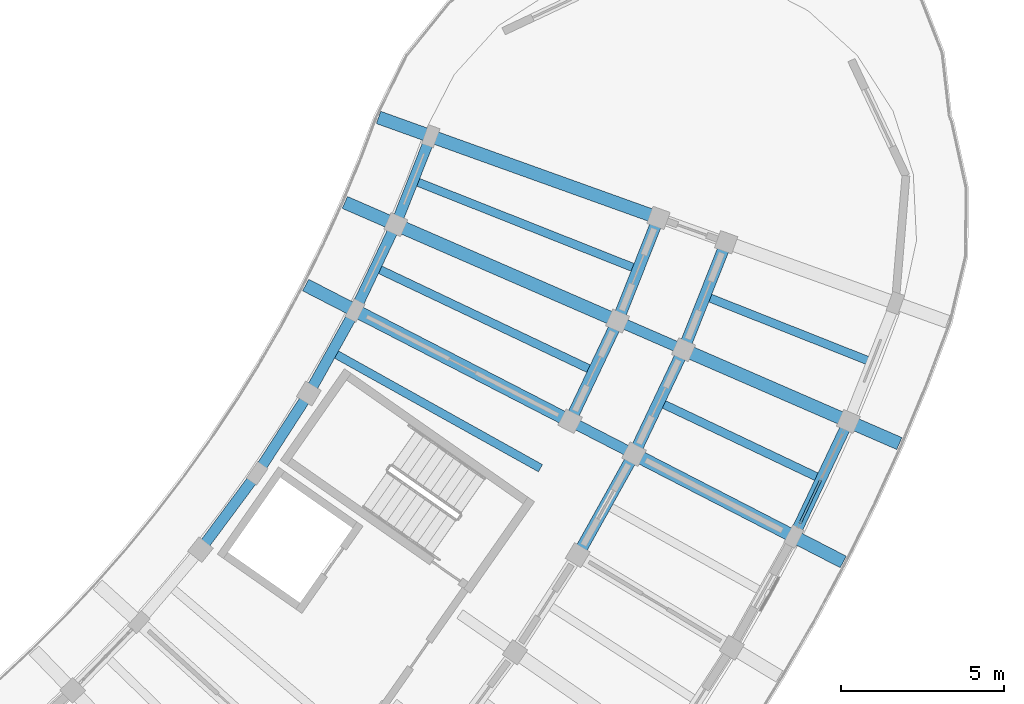
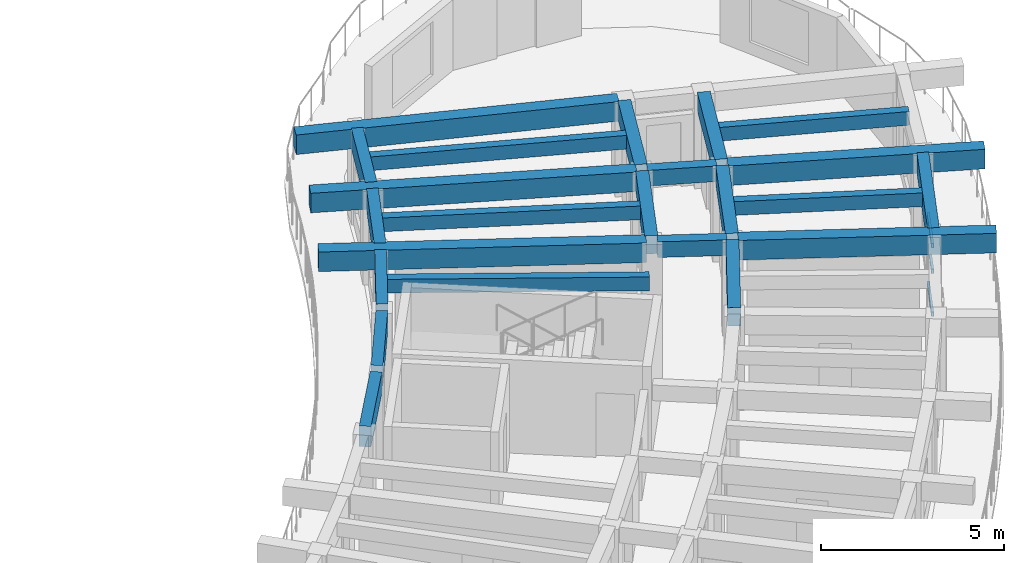
# One storey, part 22 of 81: 23 beams, 3 members, 1 element without a shape of its own.
"""IFC4 building model written with IfcOpenShell, lengths in metres."""

from ifc_helpers import new_model, si_unit, direction, frame, origin, origin_2d, place, context, subcontext, project, spatial, rectangle, hollow_rectangle, extrude, material, material_profile, profile_set, type_object, element, aggregate, save


model = new_model("IFC4")

# Units and contexts
model_context = context("Model", 3, precision=1e-05, world=origin(), true_north=direction((0.0, 1.0)))
body_context = subcontext(model_context, "Body", "Model", "MODEL_VIEW")
ifc_project = project(units=[si_unit("LENGTHUNIT", "METRE"), si_unit("AREAUNIT", "SQUARE_METRE"), si_unit("VOLUMEUNIT", "CUBIC_METRE"), si_unit("PLANEANGLEUNIT", "RADIAN"), si_unit("MASSUNIT", "GRAM", prefix="KILO")], contexts=[model_context])

# Site, building, storey
site_placement = place(None, origin())
site = spatial("IfcSite", under=ifc_project, at=site_placement, CompositionType="ELEMENT")
building_placement = place(site_placement, origin())
building = spatial("IfcBuilding", under=site, at=building_placement, Name="Tanwirah Colonnade Gardens", CompositionType="ELEMENT")
storey_placement = place(building_placement, frame((0.0, 0.0, 18.919921875)))
storey = spatial("IfcBuildingStorey", under=building, at=storey_placement, Name="L05", CompositionType="ELEMENT", Elevation=18.919921875)

# Beams
ifc_material_1 = material(Name="Precast concrete C40/50", Category="concrete")
ifc_material_profile_1 = material_profile(ifc_material_1, rectangle(XDim=0.360107421875, YDim=0.610107421875, at=origin_2d()), Name="PC-BM 360x610")
ifc_profile_set_1 = profile_set([ifc_material_profile_1], Name="Precast concrete C40/50")
beam_type_1 = type_object("IfcBeamType", Name="BM-PC300", PredefinedType="BEAM", material=ifc_profile_set_1)
beam_1_placement = place(storey_placement, frame((167.40283203125, 36.793212890625, 2.80517578125), z_axis=(0.486712025227, 0.873562478875, 0.0), x_axis=(-0.873562478875, 0.486712025227, 0.0)))
element("IfcBeam", 1, at=beam_1_placement, inside=storey, type_object=beam_type_1, Name="Block D L05 Circumferential Beam 12-R2", PredefinedType="BEAM", context=body_context, shape_type="SweptSolid", body=[
    extrude(rectangle(XDim=0.360107421875, YDim=0.610107421875, at=origin_2d()), origin(), (0.0, 0.0, 1.0), 3.23681640625),
])
beam_2_placement = place(storey_placement, frame((167.159912109375, 40.894775390625, 2.80517578125), z_axis=(0.428520598641, 0.903532011907, 0.0), x_axis=(-0.903532011907, 0.428520598641, 0.0)))
element("IfcBeam", 2, at=beam_2_placement, inside=storey, type_object=beam_type_1, Name="Block D L05 Circumferential Beam 13-R1", PredefinedType="BEAM", context=body_context, shape_type="SweptSolid", body=[
    extrude(rectangle(XDim=0.360107421875, YDim=0.610107421875, at=origin_2d()), origin(), (0.0, 0.0, 1.0), 3.093017578125),
])
beam_3_placement = place(storey_placement, frame((169.11572265625, 39.887451171875, 2.80517578125), z_axis=(0.428562893949, 0.903511951183, 0.0), x_axis=(-0.903511951183, 0.428562893949, 0.0)))
element("IfcBeam", 3, at=beam_3_placement, inside=storey, type_object=beam_type_1, Name="Block D L05 Circumferential Beam 13-R2", PredefinedType="BEAM", context=body_context, shape_type="SweptSolid", body=[
    extrude(rectangle(XDim=0.360107421875, YDim=0.610107421875, at=origin_2d()), origin(), (0.0, 0.0, 1.0), 3.23681640625),
])
beam_4_placement = place(storey_placement, frame((168.604736328125, 43.96435546875, 2.80517578125), z_axis=(0.368544574427, 0.929610077753, 0.0), x_axis=(-0.929610077753, 0.368544574427, 0.0)))
element("IfcBeam", 4, at=beam_4_placement, inside=storey, type_object=beam_type_1, Name="Block D L05 Circumferential Beam 14-R1", PredefinedType="BEAM", context=body_context, shape_type="SweptSolid", body=[
    extrude(rectangle(XDim=0.360107421875, YDim=0.610107421875, at=origin_2d()), origin(), (0.0, 0.0, 1.0), 3.093017578125),
])
beam_5_placement = place(storey_placement, frame((170.622314453125, 43.087158203125, 2.80517578125), z_axis=(0.368527954052, 0.929616666741, 0.0), x_axis=(-0.929616666741, 0.368527954052, 0.0)))
element("IfcBeam", 5, at=beam_5_placement, inside=storey, type_object=beam_type_1, Name="Block D L05 Circumferential Beam 14-R2", PredefinedType="BEAM", context=body_context, shape_type="SweptSolid", body=[
    extrude(rectangle(XDim=0.360107421875, YDim=0.610107421875, at=origin_2d()), origin(), (0.0, 0.0, 1.0), 3.23681640625),
])
ifc_material_profile_2 = material_profile(ifc_material_1, rectangle(XDim=0.320068359375, YDim=0.52001953125, at=origin_2d()), Name="PC-BM 320x520")
ifc_profile_set_2 = profile_set([ifc_material_profile_2], Name="Precast concrete C40/50")
beam_type_2 = type_object("IfcBeamType", Name="BM-PC320", PredefinedType="BEAM", material=ifc_profile_set_2)
beam_6_placement = place(storey_placement, frame((167.22900390625, 40.690673828125, 2.85009765625), z_axis=(0.888965044602, -0.457975053334, 0.0), x_axis=(0.457975053334, 0.888965044602, 0.0)))
element("IfcBeam", 6, at=beam_6_placement, inside=storey, type_object=beam_type_2, Name="Block D L05 Corridor Tie Beam 13", PredefinedType="BEAM", context=body_context, shape_type="SweptSolid", body=[
    extrude(rectangle(XDim=0.320068359375, YDim=0.52001953125, at=origin_2d()), origin(), (0.0, 0.0, 1.0), 1.89990234375),
])
beam_7_placement = place(storey_placement, frame((168.68701171875, 43.76513671875, 2.85009765625), z_axis=(0.917025109963, -0.398829471952, 0.0), x_axis=(0.398829471952, 0.917025109963, 0.0)))
element("IfcBeam", 7, at=beam_7_placement, inside=storey, type_object=beam_type_2, Name="Block D L05 Corridor Tie Beam 14", PredefinedType="BEAM", context=body_context, shape_type="SweptSolid", body=[
    extrude(rectangle(XDim=0.320068359375, YDim=0.52001953125, at=origin_2d()), origin(), (0.0, 0.0, 1.0), 1.900146484375),
])
ifc_material_2 = material(Name="Precast concrete C45/55", Category="concrete")
ifc_material_profile_3 = material_profile(ifc_material_2, rectangle(XDim=0.39990234375, YDim=0.64990234375, at=origin_2d()), Name="PC-BM 400x650")
ifc_profile_set_3 = profile_set([ifc_material_profile_3], Name="Precast concrete C45/55")
beam_type_3 = type_object("IfcBeamType", Name="BM-PC400", PredefinedType="BEAM", material=ifc_profile_set_3)
beam_8_placement = place(storey_placement, frame((166.962158203125, 40.827880859375, 2.78515625), z_axis=(-0.889022337846, 0.457863825619, 0.0), x_axis=(-0.457863825619, -0.889022337846, 0.0)))
element("IfcBeam", 8, at=beam_8_placement, inside=storey, type_object=beam_type_3, Name="Block D L05 Inner Radial Precast Girder 13", PredefinedType="BEAM", context=body_context, shape_type="SweptSolid", body=[
    extrude(rectangle(XDim=0.39990234375, YDim=0.64990234375, at=origin_2d()), origin(), (0.0, 0.0, 1.0), 8.949951171875),
])
beam_9_placement = place(storey_placement, frame((169.184814453125, 39.683349609375, 2.78515625), z_axis=(0.889016420099, -0.457875315774, 0.0), x_axis=(0.457875315774, 0.889016420099, 0.0)))
element("IfcBeam", 9, at=beam_9_placement, inside=storey, type_object=beam_type_3, Name="Block D L05 Outer Radial Precast Girder 13", PredefinedType="BEAM", context=body_context, shape_type="SweptSolid", body=[
    extrude(rectangle(XDim=0.39990234375, YDim=0.64990234375, at=origin_2d()), origin(), (0.0, 0.0, 1.0), 7.050048828125),
])
beam_10_placement = place(storey_placement, frame((168.412109375, 43.884765625, 2.78515625), z_axis=(-0.917069622575, 0.398727108872, 0.0), x_axis=(-0.398727108872, -0.917069622575, 0.0)))
element("IfcBeam", 10, at=beam_10_placement, inside=storey, type_object=beam_type_3, Name="Block D L05 Inner Radial Precast Girder 14", PredefinedType="BEAM", context=body_context, shape_type="SweptSolid", body=[
    extrude(rectangle(XDim=0.39990234375, YDim=0.64990234375, at=origin_2d()), origin(), (0.0, 0.0, 1.0), 8.949951171875),
])
beam_11_placement = place(storey_placement, frame((170.70458984375, 42.8876953125, 2.78515625), z_axis=(0.91706895514, -0.398728643965, 0.0), x_axis=(0.398728643965, 0.91706895514, 0.0)))
element("IfcBeam", 11, at=beam_11_placement, inside=storey, type_object=beam_type_3, Name="Block D L05 Outer Radial Precast Girder 14", PredefinedType="BEAM", context=body_context, shape_type="SweptSolid", body=[
    extrude(rectangle(XDim=0.39990234375, YDim=0.64990234375, at=origin_2d()), origin(), (0.0, 0.0, 1.0), 7.050048828125),
])
beam_12_placement = place(storey_placement, frame((169.65869140625, 47.02978515625, 2.78515625), z_axis=(-0.941180212187, 0.337905028356, 0.0), x_axis=(-0.337905028356, -0.941180212187, 0.0)))
element("IfcBeam", 12, at=beam_12_placement, inside=storey, type_object=beam_type_3, Name="Block D L05 Inner Radial Precast Girder 15", PredefinedType="BEAM", context=body_context, shape_type="SweptSolid", body=[
    extrude(rectangle(XDim=0.39990234375, YDim=0.64990234375, at=origin_2d()), origin(), (0.0, 0.0, 1.0), 8.94970703125),
])

# Curtain wall, members
ifc_material_3 = material(Name="Bronze-anodised aluminium and solar-control low-E glass", Category="aluminium")
curtain_wall_type = type_object("IfcCurtainWallType", Name="CW-LOB", PredefinedType="NOTDEFINED", material=ifc_material_3)
curtain_wall_placement = place(storey_placement, origin())
curtain_wall = element("IfcCurtainWall", 13, at=curtain_wall_placement, inside=storey, type_object=curtain_wall_type, Name="Curtain Wall CW-D-L05-OUT-13", PredefinedType="NOTDEFINED")
ifc_material_4 = material(Name="Bronze-anodised aluminium", Category="aluminium")
ifc_material_profile_4 = material_profile(ifc_material_4, hollow_rectangle(XDim=0.070068359375, YDim=0.14990234375, WallThickness=0.00390625, at=origin_2d()), Name="CW-TRN 70x150x4")
ifc_profile_set_4 = profile_set([ifc_material_profile_4], Name="Bronze-anodised aluminium")
member_type = type_object("IfcMemberType", Name="CWT-70x150", PredefinedType="USERDEFINED", material=ifc_profile_set_4)
member_1_placement = place(storey_placement, frame((174.125244140625, 37.6220703125, 0.03515625), z_axis=(0.428553203903, 0.903516547399, 0.0), x_axis=(-0.903516547399, 0.428553203903, 0.0)))
member_1 = element("IfcMember", 14, at=member_1_placement, type_object=member_type, Name="CW-LOB transom 1.1", ObjectType="TRANSOM", PredefinedType="USERDEFINED", context=body_context, shape_type="SweptSolid", body=[
    extrude(hollow_rectangle(XDim=0.070068359375, YDim=0.14990234375, WallThickness=0.00390625, at=origin_2d()), origin(), (0.0, 0.0, 1.0), 1.4833984375),
])
member_2_placement = place(storey_placement, frame((174.125244140625, 37.6220703125, 1.460205078125), z_axis=(0.428553203903, 0.903516547399, 0.0), x_axis=(-0.903516547399, 0.428553203903, 0.0)))
member_2 = element("IfcMember", 15, at=member_2_placement, type_object=member_type, Name="CW-LOB transom 1.2", ObjectType="TRANSOM", PredefinedType="USERDEFINED", context=body_context, shape_type="SweptSolid", body=[
    extrude(hollow_rectangle(XDim=0.070068359375, YDim=0.14990234375, WallThickness=0.00390625, at=origin_2d()), origin(), (0.0, 0.0, 1.0), 1.4833984375),
])
member_3_placement = place(storey_placement, frame((174.125244140625, 37.6220703125, 2.320068359375), z_axis=(0.428553203903, 0.903516547399, 0.0), x_axis=(-0.903516547399, 0.428553203903, 0.0)))
member_3 = element("IfcMember", 16, at=member_3_placement, type_object=member_type, Name="CW-LOB transom 1.3", ObjectType="TRANSOM", PredefinedType="USERDEFINED", context=body_context, shape_type="SweptSolid", body=[
    extrude(hollow_rectangle(XDim=0.070068359375, YDim=0.14990234375, WallThickness=0.00390625, at=origin_2d()), origin(), (0.0, 0.0, 1.0), 1.4833984375),
])
aggregate(curtain_wall, [member_1, member_2, member_3])

# Beams
ifc_material_profile_5 = material_profile(ifc_material_1, rectangle(XDim=0.2548828125, YDim=0.455078125, at=origin_2d()), Name="PC-JST 255x455")
ifc_profile_set_5 = profile_set([ifc_material_profile_5], Name="Precast concrete C40/50")
beam_type_4 = type_object("IfcBeamType", Name="JST-PC240", PredefinedType="JOIST", material=ifc_profile_set_5)
beam_13_placement = place(storey_placement, frame((159.9345703125, 42.80712890625, 2.882568359375), z_axis=(0.873559899034, -0.486716655561, 0.0), x_axis=(0.486716655561, 0.873559899034, 0.0)))
element("IfcBeam", 17, at=beam_13_placement, inside=storey, type_object=beam_type_4, Name="Block D L05 Inner Precast Floor Joist 12", PredefinedType="JOIST", context=body_context, shape_type="SweptSolid", body=[
    extrude(rectangle(XDim=0.2548828125, YDim=0.455078125, at=origin_2d()), origin(), (0.0, 0.0, 1.0), 7.159912109375),
])
beam_14_placement = place(storey_placement, frame((169.94384765625, 41.285888671875, 2.882568359375), z_axis=(0.903517509842, -0.428551174785, 0.0), x_axis=(0.428551174785, 0.903517509842, 0.0)))
element("IfcBeam", 18, at=beam_14_placement, inside=storey, type_object=beam_type_4, Name="Block D L05 Precast Floor Joist 13", PredefinedType="JOIST", context=body_context, shape_type="SweptSolid", body=[
    extrude(rectangle(XDim=0.2548828125, YDim=0.455078125, at=origin_2d()), origin(), (0.0, 0.0, 1.0), 5.260009765625),
])
beam_15_placement = place(storey_placement, frame((161.27001953125, 45.39990234375, 2.882568359375), z_axis=(0.903522492189, -0.428540670308, 0.0), x_axis=(0.428540670308, 0.903522492189, 0.0)))
element("IfcBeam", 19, at=beam_15_placement, inside=storey, type_object=beam_type_4, Name="Block D L05 Inner Precast Floor Joist 13", PredefinedType="JOIST", context=body_context, shape_type="SweptSolid", body=[
    extrude(rectangle(XDim=0.2548828125, YDim=0.455078125, at=origin_2d()), origin(), (0.0, 0.0, 1.0), 7.159912109375),
])
beam_16_placement = place(storey_placement, frame((171.357177734375, 44.53662109375, 2.882568359375), z_axis=(0.929618207145, -0.368524068338, 0.0), x_axis=(0.368524068338, 0.929618207145, 0.0)))
element("IfcBeam", 20, at=beam_16_placement, inside=storey, type_object=beam_type_4, Name="Block D L05 Precast Floor Joist 14", PredefinedType="JOIST", context=body_context, shape_type="SweptSolid", body=[
    extrude(rectangle(XDim=0.2548828125, YDim=0.455078125, at=origin_2d()), origin(), (0.0, 0.0, 1.0), 5.260009765625),
])
beam_17_placement = place(storey_placement, frame((162.432861328125, 48.07470703125, 2.882568359375), z_axis=(0.929619798141, -0.368520054956, 0.0), x_axis=(0.368520054956, 0.929619798141, 0.0)))
element("IfcBeam", 21, at=beam_17_placement, inside=storey, type_object=beam_type_4, Name="Block D L05 Inner Precast Floor Joist 14", PredefinedType="JOIST", context=body_context, shape_type="SweptSolid", body=[
    extrude(rectangle(XDim=0.2548828125, YDim=0.455078125, at=origin_2d()), origin(), (0.0, 0.0, 1.0), 7.16015625),
])
ifc_material_profile_6 = material_profile(ifc_material_1, rectangle(XDim=0.324951171875, YDim=0.68505859375, at=origin_2d()), Name="PC-SP 325x685")
ifc_profile_set_6 = profile_set([ifc_material_profile_6], Name="Precast concrete C40/50")
beam_type_5 = type_object("IfcBeamType", Name="SP-PC260", PredefinedType="SPANDREL", material=ifc_profile_set_6)
beam_18_placement = place(storey_placement, frame((155.87646484375, 36.94970703125, 2.767578125), z_axis=(0.596565220249, 0.802564600508, 0.0), x_axis=(-0.802564600508, 0.596565220249, 0.0)))
element("IfcBeam", 22, at=beam_18_placement, inside=storey, type_object=beam_type_5, Name="Block D L05 Circumferential Beam 10-R0", PredefinedType="SPANDREL", context=body_context, shape_type="SweptSolid", body=[
    extrude(rectangle(XDim=0.324951171875, YDim=0.68505859375, at=origin_2d()), origin(), (0.0, 0.0, 1.0), 2.6083984375),
])
beam_19_placement = place(storey_placement, frame((157.603515625, 39.28955078125, 2.767578125), z_axis=(0.542874837406, 0.83981361677, 0.0), x_axis=(-0.83981361677, 0.542874837406, 0.0)))
element("IfcBeam", 23, at=beam_19_placement, inside=storey, type_object=beam_type_5, Name="Block D L05 Circumferential Beam 11-R0", PredefinedType="SPANDREL", context=body_context, shape_type="SweptSolid", body=[
    extrude(rectangle(XDim=0.324951171875, YDim=0.68505859375, at=origin_2d()), origin(), (0.0, 0.0, 1.0), 2.60888671875),
])
beam_20_placement = place(storey_placement, frame((159.174072265625, 41.737548828125, 2.767578125), z_axis=(0.486747049114, 0.873542964129, 0.0), x_axis=(-0.873542964129, 0.486747049114, 0.0)))
element("IfcBeam", 24, at=beam_20_placement, inside=storey, type_object=beam_type_5, Name="Block D L05 Circumferential Beam 12-R0", PredefinedType="SPANDREL", context=body_context, shape_type="SweptSolid", body=[
    extrude(rectangle(XDim=0.324951171875, YDim=0.68505859375, at=origin_2d()), origin(), (0.0, 0.0, 1.0), 2.608642578125),
])
beam_21_placement = place(storey_placement, frame((160.5810546875, 44.282958984375, 2.767578125), z_axis=(0.428512709915, 0.903535753272, 0.0), x_axis=(-0.903535753272, 0.428512709915, 0.0)))
element("IfcBeam", 25, at=beam_21_placement, inside=storey, type_object=beam_type_5, Name="Block D L05 Circumferential Beam 13-R0", PredefinedType="SPANDREL", context=body_context, shape_type="SweptSolid", body=[
    extrude(rectangle(XDim=0.324951171875, YDim=0.68505859375, at=origin_2d()), origin(), (0.0, 0.0, 1.0), 2.60888671875),
])
beam_22_placement = place(storey_placement, frame((174.00537109375, 37.369140625, 2.767578125), z_axis=(0.428518139447, 0.903533178231, 0.0), x_axis=(-0.903533178231, 0.428518139447, 0.0)))
element("IfcBeam", 26, at=beam_22_placement, inside=storey, type_object=beam_type_5, Name="Block D L05 Circumferential Beam 13-R3", PredefinedType="SPANDREL", context=body_context, shape_type="SweptSolid", body=[
    extrude(rectangle(XDim=0.324951171875, YDim=0.68505859375, at=origin_2d()), origin(), (0.0, 0.0, 1.0), 3.5966796875),
])
beam_23_placement = place(storey_placement, frame((161.818603515625, 46.9150390625, 2.767578125), z_axis=(0.368549031306, 0.929608310808, 0.0), x_axis=(-0.929608310808, 0.368549031306, 0.0)))
element("IfcBeam", 27, at=beam_23_placement, inside=storey, type_object=beam_type_5, Name="Block D L05 Circumferential Beam 14-R0", PredefinedType="SPANDREL", context=body_context, shape_type="SweptSolid", body=[
    extrude(rectangle(XDim=0.324951171875, YDim=0.68505859375, at=origin_2d()), origin(), (0.0, 0.0, 1.0), 2.608642578125),
])

save(model, "model.ifc")
